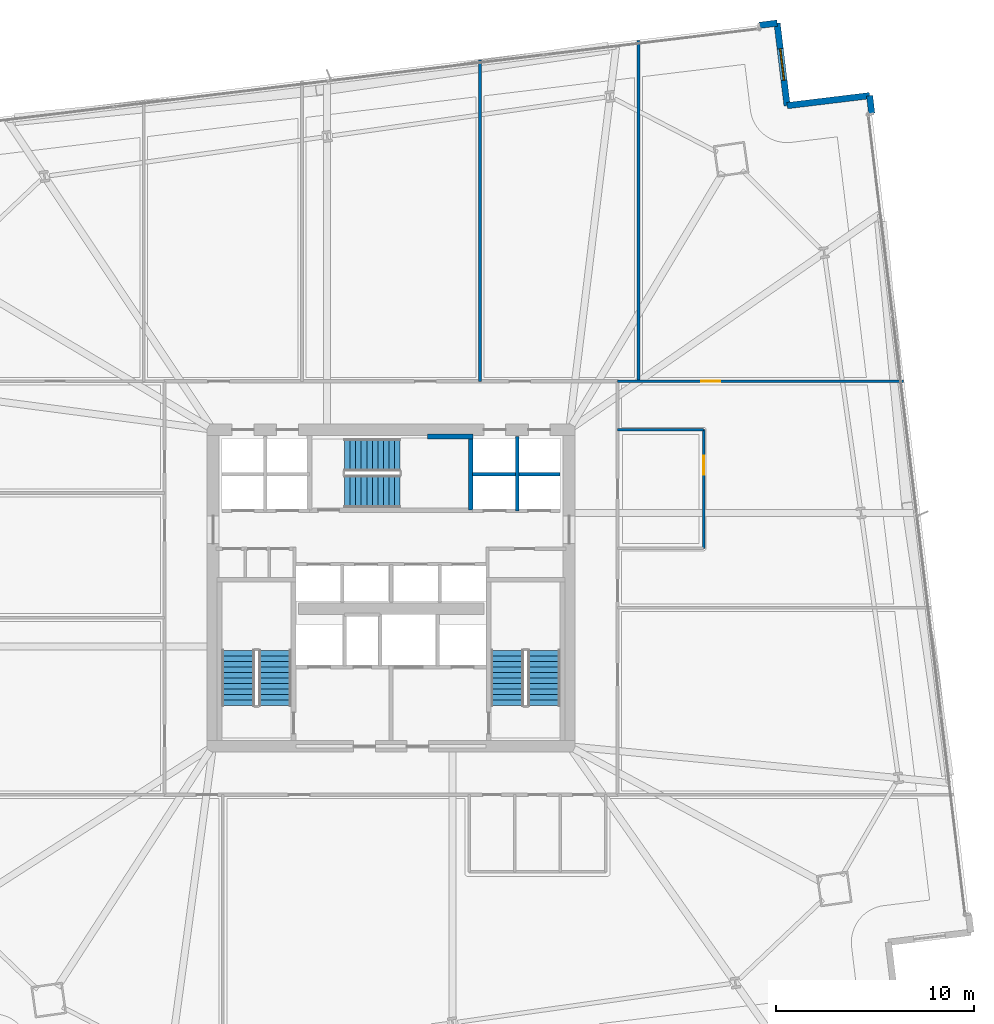
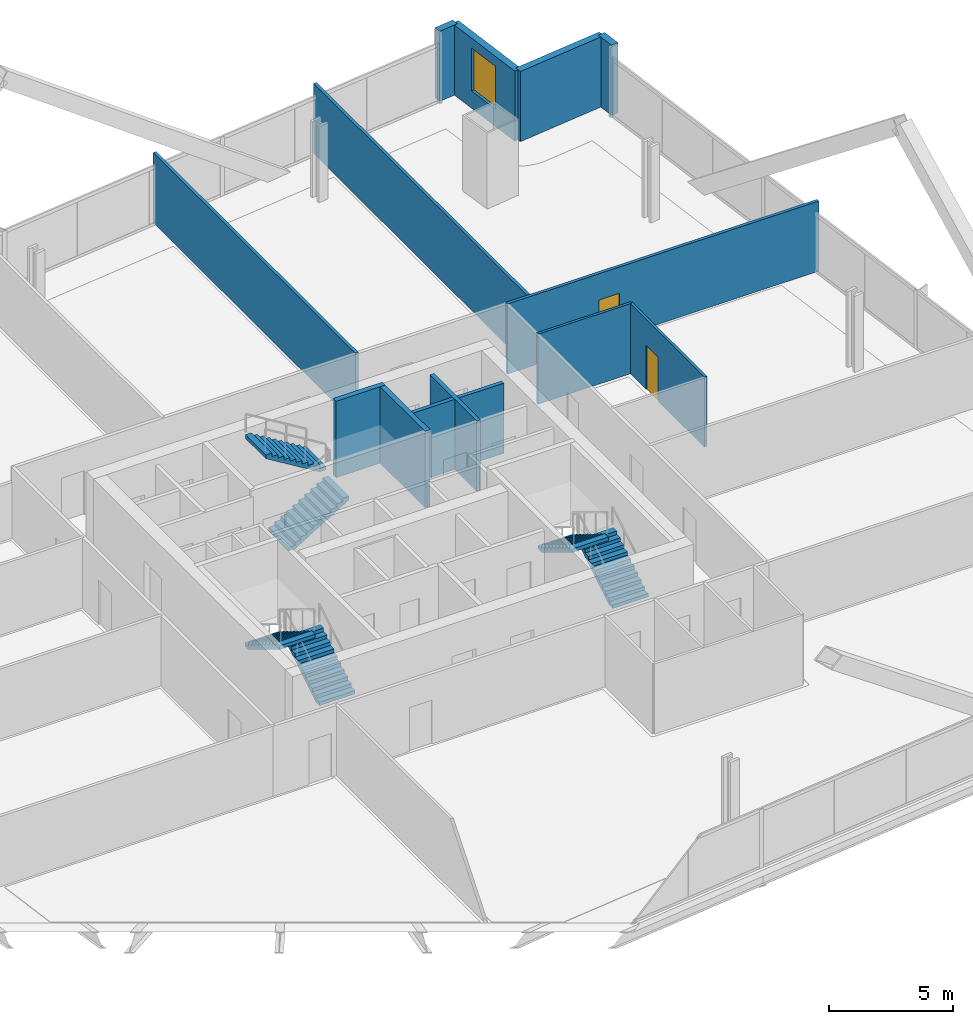
# One storey, part 28 of 33: 13 walls, 6 stair flights, 2 doors, 1 window, 3 openings, 3 elements without a shape of their own.
"""IFC4 building model written with IfcOpenShell, lengths in metres."""

from ifc_helpers import new_model, si_unit, direction, frame, frame_2d, origin, place, context, subcontext, project, spatial, polyline, rectangle, outline, extrude, material, layer, layer_set, type_object, element, fill, aggregate, save


model = new_model("IFC4")

# Units and contexts
model_context = context("Model", 3, precision=1e-05, world=origin(), true_north=direction((0.0, 1.0)))
body_context = subcontext(model_context, "Body", "Model", "MODEL_VIEW")
ifc_project = project(units=[si_unit("LENGTHUNIT", "METRE"), si_unit("AREAUNIT", "SQUARE_METRE"), si_unit("VOLUMEUNIT", "CUBIC_METRE"), si_unit("PLANEANGLEUNIT", "RADIAN"), si_unit("MASSUNIT", "GRAM", prefix="KILO")], contexts=[model_context])

# Site, building, storey
site_placement = place(None, origin())
site = spatial("IfcSite", under=ifc_project, at=site_placement, CompositionType="ELEMENT")
building_placement = place(site_placement, origin())
building = spatial("IfcBuilding", under=site, at=building_placement, Name="Haldenkirk Collegiate Tower", CompositionType="ELEMENT")
storey_placement = place(building_placement, frame((0.0, 0.0, 51.449951171875)))
storey = spatial("IfcBuildingStorey", under=building, at=storey_placement, Name="L11", CompositionType="ELEMENT", Elevation=51.449951171875)

# Walls
ifc_material_1 = material(Name="Precast concrete f'c 40 MPa", Category="concrete")
ifc_layer_1 = layer(ifc_material_1, 0.320068359375)
ifc_layer_set_1 = layer_set([ifc_layer_1], Name="Precast concrete f'c 40 MPa")
wall_type_1 = type_object("IfcWallType", Name="WL-EXT-TWR-320", PredefinedType="STANDARD", material=ifc_layer_set_1)
wall_1_placement = place(storey_placement, frame((60.185546875, 50.8857421875, 0.0), z_axis=(0.0, 0.0, 1.0), x_axis=(0.120161255031, -0.99275438694, 0.0)))
element("IfcWall", 1, at=wall_1_placement, inside=storey, type_object=wall_type_1, Name="L11 precast corner pier EL", PredefinedType="STANDARD", context=body_context, shape_type="SweptSolid", body=[
    extrude(rectangle(XDim=0.900146484375, YDim=0.320068359375, at=frame_2d((0.4501953125, 0.0))), origin(), (0.0, 0.0, 1.0), 3.43994140625),
])
wall_2_placement = place(storey_placement, frame((56.015869140625, 50.381103515625, 0.0), z_axis=(0.0, 0.0, 1.0), x_axis=(0.992755858928, 0.120149093062, 0.0)))
element("IfcWall", 2, at=wall_2_placement, inside=storey, type_object=wall_type_1, Name="L11 bronze precast notch wall 05", PredefinedType="STANDARD", context=body_context, shape_type="SweptSolid", body=[
    extrude(rectangle(XDim=4.2001953125, YDim=0.320068359375, at=frame_2d((2.10009765625, 0.0))), origin(), (0.0, 0.0, 1.0), 3.43994140625),
])

# Wall, opening, window
wall_3_placement = place(storey_placement, frame((55.51123046875, 54.55078125, 0.0), z_axis=(0.0, 0.0, 1.0), x_axis=(0.120149093062, -0.992755858928, 0.0)))
wall_3 = element("IfcWall", 3, at=wall_3_placement, inside=storey, type_object=wall_type_1, Name="L11 bronze precast notch wall 06", PredefinedType="STANDARD", context=body_context, shape_type="SweptSolid", body=[
    extrude(rectangle(XDim=4.2001953125, YDim=0.320068359375, at=frame_2d((2.10009765625, 0.0))), origin(), (0.0, 0.0, 1.0), 3.43994140625),
])
opening_1_placement = place(wall_3_placement, frame((1.300048828125, 0.0, 0.85009765625)))
opening_1 = element("IfcOpeningElement", 4, at=opening_1_placement, cuts=wall_3, Name="Opening W-03", PredefinedType="OPENING", context=body_context, shape_type="SweptSolid", body=[
    extrude(rectangle(XDim=1.60009765625, YDim=2.10009765625, at=frame_2d((0.800048828125, 1.050048828125))), frame((0.0, 0.169921875, 0.0), z_axis=(0.0, -1.0, 0.0), x_axis=(1.0, 0.0, 0.0)), (0.0, 0.0, 1.0), 0.340087890625),
])
ifc_material_2 = material(Name="Low-E argon triple insulating glass", Category="glass")
ifc_layer_2 = layer(ifc_material_2, 0.090087890625)
ifc_layer_set_2 = layer_set([ifc_layer_2], Name="Low-E argon triple insulating glass")
window_type = type_object("IfcWindowType", Name="WN-Z1-1600X2100", PartitioningType="SINGLE_PANEL", PredefinedType="WINDOW", material=ifc_layer_set_2)
window_placement = place(opening_1_placement, origin())
window = element("IfcWindow", 5, at=window_placement, inside=storey, type_object=window_type, Name="L11 precast-frame academic window 5", OverallHeight=2.10009765625, OverallWidth=1.60009765625, PartitioningType="SINGLE_PANEL", PredefinedType="WINDOW", context=body_context, shape_type="SweptSolid", body=[
    extrude(rectangle(XDim=1.60009765625, YDim=2.10009765625, at=frame_2d((0.800048828125, 1.050048828125))), frame((0.0, 0.030029296875, 0.0), z_axis=(0.0, -1.0, 0.0), x_axis=(1.0, 0.0, 0.0)), (0.0, 0.0, 1.0), 0.06005859375),
])
fill(opening_1, window)

# Wall
wall_4_placement = place(storey_placement, frame((54.617919921875, 54.442626953125, 0.0), z_axis=(0.0, 0.0, 1.0), x_axis=(0.992750468934, 0.12019362059, 0.0)))
element("IfcWall", 6, at=wall_4_placement, inside=storey, type_object=wall_type_1, Name="L11 precast corner pier NR", PredefinedType="STANDARD", context=body_context, shape_type="SweptSolid", body=[
    extrude(rectangle(XDim=0.89990234375, YDim=0.320068359375, at=frame_2d((0.449951171875, 0.0))), origin(), (0.0, 0.0, 1.0), 3.43994140625),
])

# Wall, opening, door
ifc_material_3 = material(Name="Acoustic fire-rated gypsum partition", Category="concrete")
ifc_layer_3 = layer(ifc_material_3, 0.139892578125)
ifc_layer_set_3 = layer_set([ifc_layer_3], Name="Acoustic fire-rated gypsum partition")
wall_type_2 = type_object("IfcWallType", Name="WL-INT-DIV-140", PredefinedType="PARTITIONING", material=ifc_layer_set_3)
wall_5_placement = place(storey_placement, frame((47.449951171875, 36.449951171875, 0.0), z_axis=(0.0, 0.0, 1.0), x_axis=(1.0, 0.0, 0.0)))
wall_5 = element("IfcWall", 7, at=wall_5_placement, inside=storey, type_object=wall_type_2, Name="L11 interior partition IW-L11-BEN", PredefinedType="PARTITIONING", context=body_context, shape_type="SweptSolid", body=[
    extrude(rectangle(XDim=14.442138671875, YDim=0.139892578125, at=frame_2d((7.22119140625, 0.0))), origin(), (0.0, 0.0, 1.0), 3.43994140625),
])
opening_2_placement = place(wall_5_placement, frame((4.238037109375, 0.0, 0.0)))
opening_2 = element("IfcOpeningElement", 8, at=opening_2_placement, cuts=wall_5, Name="Opening D-12", PredefinedType="OPENING", context=body_context, shape_type="SweptSolid", body=[
    extrude(rectangle(XDim=0.949951171875, YDim=2.14990234375, at=frame_2d((0.47509765625, 1.074951171875))), frame((0.0, 0.079833984375, 0.0), z_axis=(0.0, -1.0, 0.0), x_axis=(1.0, 0.0, 0.0)), (0.0, 0.0, 1.0), 0.159912109375),
])
ifc_material_4 = material(Name="Solid-core architectural oak fire door", Category="wood")
ifc_layer_4 = layer(ifc_material_4, 0.06005859375)
ifc_layer_set_4 = layer_set([ifc_layer_4], Name="Solid-core architectural oak fire door")
door_type = type_object("IfcDoorType", Name="DR-INT-STD-950", OperationType="NOTDEFINED", PredefinedType="DOOR", material=ifc_layer_set_4)
door_1_placement = place(opening_2_placement, origin())
door_1 = element("IfcDoor", 9, at=door_1_placement, inside=storey, type_object=door_type, Name="L11 Special Collections Archive 7 door", OperationType="SINGLE_SWING_LEFT", OverallHeight=2.14990234375, OverallWidth=0.949951171875, PredefinedType="DOOR", context=body_context, shape_type="SweptSolid", body=[
    extrude(rectangle(XDim=0.949951171875, YDim=2.14990234375, at=frame_2d((0.47509765625, 1.074951171875))), frame((0.0, 0.02490234375, 0.0), z_axis=(0.0, -1.0, 0.0), x_axis=(1.0, 0.0, 0.0)), (0.0, 0.0, 1.0), 0.050048828125),
])
fill(opening_2, door_1)

# Walls
wall_6_placement = place(storey_placement, frame((40.5, 36.449951171875, 0.0), z_axis=(0.0, 0.0, 1.0), x_axis=(0.0, 1.0, 0.0)))
element("IfcWall", 10, at=wall_6_placement, inside=storey, type_object=wall_type_2, Name="L11 interior partition IW-L11-RN3", PredefinedType="PARTITIONING", context=body_context, shape_type="SweptSolid", body=[
    extrude(rectangle(XDim=16.244140625, YDim=0.139892578125, at=frame_2d((8.1220703125, 0.0))), origin(), (0.0, 0.0, 1.0), 3.43994140625),
])
wall_7_placement = place(storey_placement, frame((48.5, 36.449951171875, 0.0), z_axis=(0.0, 0.0, 1.0), x_axis=(0.0, 1.0, 0.0)))
element("IfcWall", 11, at=wall_7_placement, inside=storey, type_object=wall_type_2, Name="L11 interior partition IW-L11-RN4", PredefinedType="PARTITIONING", context=body_context, shape_type="SweptSolid", body=[
    extrude(rectangle(XDim=17.212158203125, YDim=0.139892578125, at=frame_2d((8.60595703125, 0.0))), origin(), (0.0, 0.0, 1.0), 3.43994140625),
])
ifc_material_5 = material(Name="Fire-rated gypsum shaftboard assembly", Category="concrete")
ifc_layer_5 = layer(ifc_material_5, 0.179931640625)
ifc_layer_set_5 = layer_set([ifc_layer_5], Name="Fire-rated gypsum shaftboard assembly")
wall_type_3 = type_object("IfcWallType", Name="WL-INT-SHAFT-180", PredefinedType="PARTITIONING", material=ifc_layer_set_5)
wall_8_placement = place(storey_placement, frame((40.1201171875, 31.75, 0.0), z_axis=(0.0, 0.0, 1.0), x_axis=(1.0, 0.0, 0.0)))
element("IfcWall", 12, at=wall_8_placement, inside=storey, type_object=wall_type_3, Name="L11 interior partition IW-L11-PMM", PredefinedType="PARTITIONING", context=body_context, shape_type="SweptSolid", body=[
    extrude(rectangle(XDim=4.429931640625, YDim=0.179931640625, at=frame_2d((2.21484375, 0.0))), origin(), (0.0, 0.0, 1.0), 3.43994140625),
])
wall_9_placement = place(storey_placement, frame((42.3701171875, 29.89990234375, 0.0), z_axis=(0.0, 0.0, 1.0), x_axis=(0.0, 1.0, 0.0)))
element("IfcWall", 13, at=wall_9_placement, inside=storey, type_object=wall_type_3, Name="L11 interior partition IW-L11-PMV", PredefinedType="PARTITIONING", context=body_context, shape_type="SweptSolid", body=[
    extrude(rectangle(XDim=3.75, YDim=0.179931640625, at=frame_2d((1.875, 0.0))), origin(), (0.0, 0.0, 1.0), 3.43994140625),
])
ifc_layer_6 = layer(ifc_material_3, 0.1201171875)
ifc_layer_set_6 = layer_set([ifc_layer_6], Name="Acoustic fire-rated gypsum partition")
wall_type_4 = type_object("IfcWallType", Name="WL-INT-WET-120", PredefinedType="PARTITIONING", material=ifc_layer_set_6)
wall_10_placement = place(storey_placement, frame((47.449951171875, 34.0, 0.0), z_axis=(0.0, 0.0, 1.0), x_axis=(1.0, 0.0, 0.0)))
element("IfcWall", 14, at=wall_10_placement, inside=storey, type_object=wall_type_4, Name="L11 interior partition IW-L11-SUBEN", PredefinedType="PARTITIONING", context=body_context, shape_type="SweptSolid", body=[
    extrude(rectangle(XDim=4.35009765625, YDim=0.1201171875, at=frame_2d((2.175048828125, 0.0))), origin(), (0.0, 0.0, 1.0), 3.43994140625),
])

# Wall, opening, door
wall_11_placement = place(storey_placement, frame((51.800048828125, 28.0, 0.0), z_axis=(0.0, 0.0, 1.0), x_axis=(0.0, 1.0, 0.0)))
wall_11 = element("IfcWall", 15, at=wall_11_placement, inside=storey, type_object=wall_type_4, Name="L11 interior partition IW-L11-SUBE", PredefinedType="PARTITIONING", context=body_context, shape_type="SweptSolid", body=[
    extrude(rectangle(XDim=6.0, YDim=0.1201171875, at=frame_2d((3.0, 0.0))), origin(), (0.0, 0.0, 1.0), 3.43994140625),
])
opening_3_placement = place(wall_11_placement, frame((3.72509765625, 0.0, 0.0)))
opening_3 = element("IfcOpeningElement", 16, at=opening_3_placement, cuts=wall_11, Name="Opening D-12", PredefinedType="OPENING", context=body_context, shape_type="SweptSolid", body=[
    extrude(rectangle(XDim=0.949951171875, YDim=2.14990234375, at=frame_2d((0.47509765625, 1.074951171875))), frame((0.0, 0.070068359375, 0.0), z_axis=(0.0, -1.0, 0.0), x_axis=(1.0, 0.0, 0.0)), (0.0, 0.0, 1.0), 0.14013671875),
])
door_2_placement = place(opening_3_placement, origin())
door_2 = element("IfcDoor", 17, at=door_2_placement, inside=storey, type_object=door_type, Name="L11 East Graduate Study Pod suite door", OperationType="SINGLE_SWING_RIGHT", OverallHeight=2.14990234375, OverallWidth=0.949951171875, PredefinedType="DOOR", context=body_context, shape_type="SweptSolid", body=[
    extrude(rectangle(XDim=0.949951171875, YDim=2.14990234375, at=frame_2d((0.47509765625, 1.074951171875))), frame((0.0, 0.02490234375, 0.0), z_axis=(0.0, -1.0, 0.0), x_axis=(1.0, 0.0, 0.0)), (0.0, 0.0, 1.0), 0.050048828125),
])
fill(opening_3, door_2)

# Walls
ifc_material_6 = material(Name="Concrete f'c 55 MPa", Category="concrete")
ifc_layer_7 = layer(ifc_material_6, 0.239990234375)
ifc_layer_set_7 = layer_set([ifc_layer_7], Name="Concrete f'c 55 MPa")
wall_type_5 = type_object("IfcWallType", Name="WL-SHAFT-240", PredefinedType="SHEAR", material=ifc_layer_set_7)
wall_12_placement = place(storey_placement, frame((40.02001953125, 29.929931640625, 0.0), z_axis=(0.0, 0.0, 1.0), x_axis=(0.0, 1.0, 0.0)))
element("IfcWall", 18, at=wall_12_placement, inside=storey, type_object=wall_type_5, Name="L11 stair shaft shear wall SW-L11-ST3E", PredefinedType="SHEAR", context=body_context, shape_type="SweptSolid", body=[
    extrude(rectangle(XDim=3.85009765625, YDim=0.239990234375, at=frame_2d((1.925048828125, 0.0))), origin(), (0.0, 0.0, 1.0), 3.75),
])
wall_13_placement = place(storey_placement, frame((37.85009765625, 33.659912109375, 0.0), z_axis=(0.0, 0.0, 1.0), x_axis=(1.0, 0.0, 0.0)))
element("IfcWall", 19, at=wall_13_placement, inside=storey, type_object=wall_type_5, Name="L11 stair shaft shear wall SW-L11-ST3N", PredefinedType="SHEAR", context=body_context, shape_type="SweptSolid", body=[
    extrude(rectangle(XDim=2.289794921875, YDim=0.239990234375, at=frame_2d((1.14501953125, 0.0))), origin(), (0.0, 0.0, 1.0), 3.75),
])

# Stair, stair flights
ifc_material_7 = material(Name="Concrete f'c 40 MPa", Category="concrete")
stair_type = type_object("IfcStairType", Name="STR-DOGLEG-1650", PredefinedType="HALF_TURN_STAIR", material=ifc_material_7)
stair_1_placement = place(storey_placement, origin())
stair_1 = element("IfcStair", 20, at=stair_1_placement, inside=storey, type_object=stair_type, Name="L11 Core Exit Stair ST-1", PredefinedType="HALF_TURN_STAIR")
stair_flight_type = type_object("IfcStairFlightType", Name="STF-FLIGHT-1650", PredefinedType="STRAIGHT", material=ifc_material_7)
stair_flight_1_placement = place(storey_placement, frame((30.125, 20.050048828125, 0.0), z_axis=(0.0, 0.0, 1.0), x_axis=(0.0, 1.0, 0.0)))
stair_flight_1 = element("IfcStairFlight", 21, at=stair_flight_1_placement, type_object=stair_flight_type, Name="ST-1 flight 1", NumberOfRisers=11, NumberOfTreads=10, PredefinedType="STRAIGHT", RiserHeight=0.170454545, TreadLength=0.28, context=body_context, shape_type="SweptSolid", body=[
    extrude(outline(polyline([(0.0, 0.0), (0.0, 0.17041015625), (0.280029296875, 0.17041015625), (0.280029296875, 0.3408203125), (0.56005859375, 0.3408203125), (0.56005859375, 0.511474609375), (0.840087890625, 0.511474609375), (0.840087890625, 0.681884765625), (1.1201171875, 0.681884765625), (1.1201171875, 0.852294921875), (1.39990234375, 0.852294921875), (1.39990234375, 1.022705078125), (1.679931640625, 1.022705078125), (1.679931640625, 1.193115234375), (1.9599609375, 1.193115234375), (1.9599609375, 1.363525390625), (2.239990234375, 1.363525390625), (2.239990234375, 1.5341796875), (2.52001953125, 1.5341796875), (2.52001953125, 1.70458984375), (2.800048828125, 1.70458984375), (2.800048828125, 1.875), (2.800048828125, 1.529052734375), (0.288330078125, 0.0), (0.0, 0.0)])), frame((0.0, 0.824951171875, 0.0), z_axis=(0.0, -1.0, 0.0), x_axis=(1.0, 0.0, 0.0)), (0.0, 0.0, 1.0), 1.64990234375),
])
stair_flight_2_placement = place(storey_placement, frame((28.27490234375, 22.85009765625, 1.875), z_axis=(0.0, 0.0, 1.0), x_axis=(0.0, -1.0, 0.0)))
stair_flight_2 = element("IfcStairFlight", 22, at=stair_flight_2_placement, type_object=stair_flight_type, Name="ST-1 flight 2", NumberOfRisers=11, NumberOfTreads=10, PredefinedType="STRAIGHT", RiserHeight=0.170454545, TreadLength=0.28, context=body_context, shape_type="SweptSolid", body=[
    extrude(outline(polyline([(0.0, 0.0), (0.0, 0.17041015625), (0.280029296875, 0.17041015625), (0.280029296875, 0.3408203125), (0.56005859375, 0.3408203125), (0.56005859375, 0.511474609375), (0.840087890625, 0.511474609375), (0.840087890625, 0.681884765625), (1.1201171875, 0.681884765625), (1.1201171875, 0.852294921875), (1.39990234375, 0.852294921875), (1.39990234375, 1.022705078125), (1.679931640625, 1.022705078125), (1.679931640625, 1.193115234375), (1.9599609375, 1.193115234375), (1.9599609375, 1.363525390625), (2.239990234375, 1.363525390625), (2.239990234375, 1.5341796875), (2.52001953125, 1.5341796875), (2.52001953125, 1.70458984375), (2.800048828125, 1.70458984375), (2.800048828125, 1.875), (2.800048828125, 1.529052734375), (0.288330078125, 0.0), (0.0, 0.0)])), frame((0.0, 0.824951171875, 0.0), z_axis=(0.0, -1.0, 0.0), x_axis=(1.0, 0.0, 0.0)), (0.0, 0.0, 1.0), 1.64990234375),
])
aggregate(stair_1, [stair_flight_1, stair_flight_2])

stair_2_placement = place(storey_placement, origin())
stair_2 = element("IfcStair", 23, at=stair_2_placement, inside=storey, type_object=stair_type, Name="L11 Core Exit Stair ST-2", PredefinedType="HALF_TURN_STAIR")
stair_flight_3_placement = place(storey_placement, frame((43.72509765625, 20.050048828125, 0.0), z_axis=(0.0, 0.0, 1.0), x_axis=(0.0, 1.0, 0.0)))
stair_flight_3 = element("IfcStairFlight", 24, at=stair_flight_3_placement, type_object=stair_flight_type, Name="ST-2 flight 1", NumberOfRisers=11, NumberOfTreads=10, PredefinedType="STRAIGHT", RiserHeight=0.170454545, TreadLength=0.28, context=body_context, shape_type="SweptSolid", body=[
    extrude(outline(polyline([(0.0, 0.0), (0.0, 0.17041015625), (0.280029296875, 0.17041015625), (0.280029296875, 0.3408203125), (0.56005859375, 0.3408203125), (0.56005859375, 0.511474609375), (0.840087890625, 0.511474609375), (0.840087890625, 0.681884765625), (1.1201171875, 0.681884765625), (1.1201171875, 0.852294921875), (1.39990234375, 0.852294921875), (1.39990234375, 1.022705078125), (1.679931640625, 1.022705078125), (1.679931640625, 1.193115234375), (1.9599609375, 1.193115234375), (1.9599609375, 1.363525390625), (2.239990234375, 1.363525390625), (2.239990234375, 1.5341796875), (2.52001953125, 1.5341796875), (2.52001953125, 1.70458984375), (2.800048828125, 1.70458984375), (2.800048828125, 1.875), (2.800048828125, 1.529052734375), (0.288330078125, 0.0), (0.0, 0.0)])), frame((0.0, 0.824951171875, 0.0), z_axis=(0.0, -1.0, 0.0), x_axis=(1.0, 0.0, 0.0)), (0.0, 0.0, 1.0), 1.64990234375),
])
stair_flight_4_placement = place(storey_placement, frame((41.875, 22.85009765625, 1.875), z_axis=(0.0, 0.0, 1.0), x_axis=(0.0, -1.0, 0.0)))
stair_flight_4 = element("IfcStairFlight", 25, at=stair_flight_4_placement, type_object=stair_flight_type, Name="ST-2 flight 2", NumberOfRisers=11, NumberOfTreads=10, PredefinedType="STRAIGHT", RiserHeight=0.170454545, TreadLength=0.28, context=body_context, shape_type="SweptSolid", body=[
    extrude(outline(polyline([(0.0, 0.0), (0.0, 0.17041015625), (0.280029296875, 0.17041015625), (0.280029296875, 0.3408203125), (0.56005859375, 0.3408203125), (0.56005859375, 0.511474609375), (0.840087890625, 0.511474609375), (0.840087890625, 0.681884765625), (1.1201171875, 0.681884765625), (1.1201171875, 0.852294921875), (1.39990234375, 0.852294921875), (1.39990234375, 1.022705078125), (1.679931640625, 1.022705078125), (1.679931640625, 1.193115234375), (1.9599609375, 1.193115234375), (1.9599609375, 1.363525390625), (2.239990234375, 1.363525390625), (2.239990234375, 1.5341796875), (2.52001953125, 1.5341796875), (2.52001953125, 1.70458984375), (2.800048828125, 1.70458984375), (2.800048828125, 1.875), (2.800048828125, 1.529052734375), (0.288330078125, 0.0), (0.0, 0.0)])), frame((0.0, 0.824951171875, 0.0), z_axis=(0.0, -1.0, 0.0), x_axis=(1.0, 0.0, 0.0)), (0.0, 0.0, 1.0), 1.64990234375),
])
aggregate(stair_2, [stair_flight_3, stair_flight_4])

stair_3_placement = place(storey_placement, origin())
stair_3 = element("IfcStair", 26, at=stair_3_placement, inside=storey, type_object=stair_type, Name="L11 Core Exit Stair ST-3", PredefinedType="HALF_TURN_STAIR")
stair_flight_5_placement = place(storey_placement, frame((33.64990234375, 30.875, 0.0), z_axis=(0.0, 0.0, 1.0), x_axis=(1.0, 0.0, 0.0)))
stair_flight_5 = element("IfcStairFlight", 27, at=stair_flight_5_placement, type_object=stair_flight_type, Name="ST-3 flight 1", NumberOfRisers=11, NumberOfTreads=10, PredefinedType="STRAIGHT", RiserHeight=0.170454545, TreadLength=0.28, context=body_context, shape_type="SweptSolid", body=[
    extrude(outline(polyline([(0.0, 0.0), (0.0, 0.17041015625), (0.280029296875, 0.17041015625), (0.280029296875, 0.3408203125), (0.56005859375, 0.3408203125), (0.56005859375, 0.511474609375), (0.840087890625, 0.511474609375), (0.840087890625, 0.681884765625), (1.1201171875, 0.681884765625), (1.1201171875, 0.852294921875), (1.39990234375, 0.852294921875), (1.39990234375, 1.022705078125), (1.679931640625, 1.022705078125), (1.679931640625, 1.193115234375), (1.9599609375, 1.193115234375), (1.9599609375, 1.363525390625), (2.239990234375, 1.363525390625), (2.239990234375, 1.5341796875), (2.52001953125, 1.5341796875), (2.52001953125, 1.70458984375), (2.800048828125, 1.70458984375), (2.800048828125, 1.875), (2.800048828125, 1.529052734375), (0.288330078125, 0.0), (0.0, 0.0)])), frame((0.0, 0.824951171875, 0.0), z_axis=(0.0, -1.0, 0.0), x_axis=(1.0, 0.0, 0.0)), (0.0, 0.0, 1.0), 1.64990234375),
])
stair_flight_6_placement = place(storey_placement, frame((36.449951171875, 32.72509765625, 1.875), z_axis=(0.0, 0.0, 1.0), x_axis=(-1.0, 0.0, 0.0)))
stair_flight_6 = element("IfcStairFlight", 28, at=stair_flight_6_placement, type_object=stair_flight_type, Name="ST-3 flight 2", NumberOfRisers=11, NumberOfTreads=10, PredefinedType="STRAIGHT", RiserHeight=0.170454545, TreadLength=0.28, context=body_context, shape_type="SweptSolid", body=[
    extrude(outline(polyline([(0.0, 0.0), (0.0, 0.17041015625), (0.280029296875, 0.17041015625), (0.280029296875, 0.3408203125), (0.56005859375, 0.3408203125), (0.56005859375, 0.511474609375), (0.840087890625, 0.511474609375), (0.840087890625, 0.681884765625), (1.1201171875, 0.681884765625), (1.1201171875, 0.852294921875), (1.39990234375, 0.852294921875), (1.39990234375, 1.022705078125), (1.679931640625, 1.022705078125), (1.679931640625, 1.193115234375), (1.9599609375, 1.193115234375), (1.9599609375, 1.363525390625), (2.239990234375, 1.363525390625), (2.239990234375, 1.5341796875), (2.52001953125, 1.5341796875), (2.52001953125, 1.70458984375), (2.800048828125, 1.70458984375), (2.800048828125, 1.875), (2.800048828125, 1.529052734375), (0.288330078125, 0.0), (0.0, 0.0)])), frame((0.0, 0.824951171875, 0.0), z_axis=(0.0, -1.0, 0.0), x_axis=(1.0, 0.0, 0.0)), (0.0, 0.0, 1.0), 1.64990234375),
])
aggregate(stair_3, [stair_flight_5, stair_flight_6])

save(model, "model.ifc")
